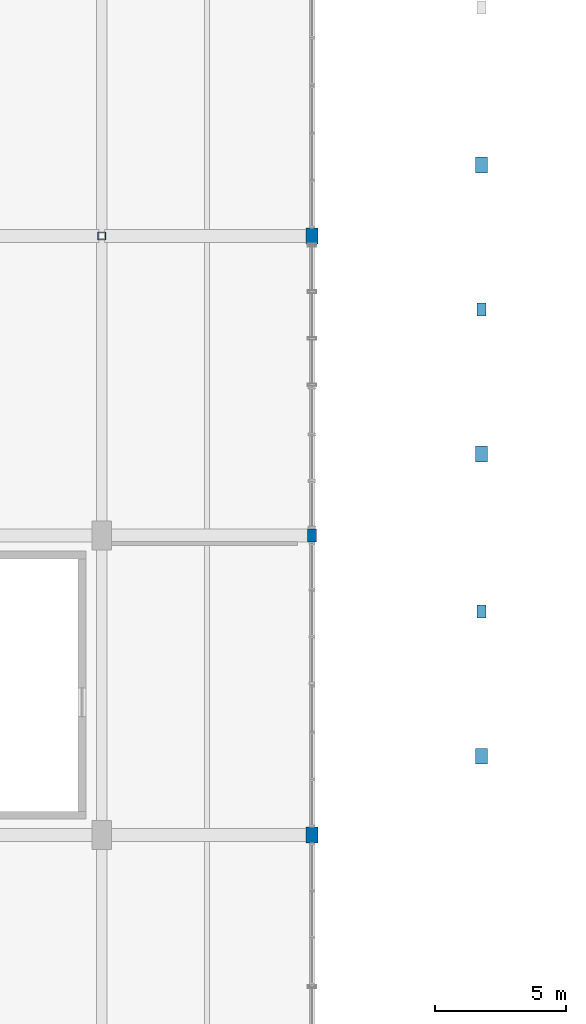
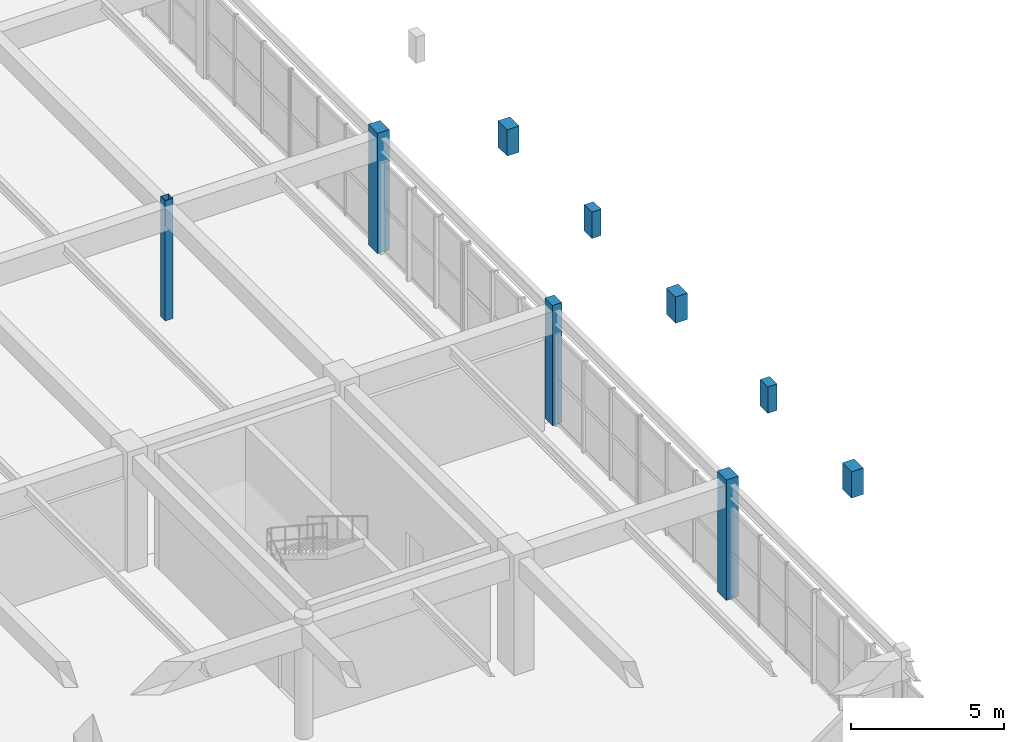
# One storey, part 4 of 106: 9 columns.
"""IFC4 building model written with IfcOpenShell, lengths in metres."""

from ifc_helpers import new_model, si_unit, direction, frame, origin, origin_2d, place, context, subcontext, project, spatial, rectangle, hollow_rectangle, extrude, material, material_profile, profile_set, type_object, element, save


model = new_model("IFC4")

# Units and contexts
model_context = context("Model", 3, precision=1e-05, world=origin(), true_north=direction((0.0, 1.0)))
body_context = subcontext(model_context, "Body", "Model", "MODEL_VIEW")
ifc_project = project(units=[si_unit("LENGTHUNIT", "METRE"), si_unit("AREAUNIT", "SQUARE_METRE"), si_unit("VOLUMEUNIT", "CUBIC_METRE"), si_unit("PLANEANGLEUNIT", "RADIAN"), si_unit("MASSUNIT", "GRAM", prefix="KILO"), si_unit("POWERUNIT", "WATT"), si_unit("THERMODYNAMICTEMPERATUREUNIT", "KELVIN")], contexts=[model_context])

# Site, building, storey
site_placement = place(None, origin())
site = spatial("IfcSite", under=ifc_project, at=site_placement, CompositionType="ELEMENT")
building_placement = place(site_placement, origin())
building = spatial("IfcBuilding", under=site, at=building_placement, Name="Kelmbourne Parkland Aquatics Centre", CompositionType="ELEMENT")
storey_placement = place(building_placement, frame((0.0, 0.0, 5.39990234375)))
storey = spatial("IfcBuildingStorey", under=building, at=storey_placement, Name="L01", CompositionType="ELEMENT", Elevation=5.39990234375)

# Columns
ifc_material_1 = material(Name="Cold-formed hollow steel AS/NZS 1163 C350L0", Category="steel")
ifc_material_profile_1 = material_profile(ifc_material_1, hollow_rectangle(XDim=0.300048828125, YDim=0.300048828125, WallThickness=0.012451171875, at=origin_2d()), Name="SHS 300x300x12.5")
ifc_profile_set_1 = profile_set([ifc_material_profile_1], Name="Cold-formed hollow steel AS/NZS 1163 C350L0")
column_type_1 = type_object("IfcColumnType", Name="COL-C22", PredefinedType="COLUMN", material=ifc_profile_set_1)
column_1_placement = place(storey_placement, frame((32.0, 57.800048828125, 0.0), z_axis=(0.0, 0.0, 1.0), x_axis=(1.0, 0.0, 0.0)))
element("IfcColumn", 1, at=column_1_placement, inside=storey, type_object=column_type_1, Name="Structural column E-08 (L01)", PredefinedType="COLUMN", context=body_context, shape_type="SweptSolid", body=[
    extrude(hollow_rectangle(XDim=0.300048828125, YDim=0.300048828125, WallThickness=0.012451171875, at=origin_2d()), origin(), (0.0, 0.0, 1.0), 4.800048828125),
])
ifc_material_2 = material(Name="Clay brick masonry AS 3700 M12", Category="masonry")
ifc_material_profile_2 = material_profile(ifc_material_2, rectangle(XDim=0.35009765625, YDim=0.5, at=origin_2d()), Name="PIL 350x500")
ifc_profile_set_2 = profile_set([ifc_material_profile_2], Name="Clay brick masonry AS 3700 M12")
column_type_2 = type_object("IfcColumnType", Name="PIL-PL1", PredefinedType="PILASTER", material=ifc_profile_set_2)
column_2_placement = place(storey_placement, frame((40.0, 46.39990234375, 0.0), z_axis=(0.0, 0.0, 1.0), x_axis=(1.0, 0.0, 0.0)))
element("IfcColumn", 2, at=column_2_placement, inside=storey, type_object=column_type_2, Name="Engaged brick pilaster F-06 (L01)", PredefinedType="PILASTER", context=body_context, shape_type="SweptSolid", body=[
    extrude(rectangle(XDim=0.35009765625, YDim=0.5, at=origin_2d()), origin(), (0.0, 0.0, 1.0), 4.800048828125),
])
for number, where, z_axis, x_axis, name in (
    (3, (46.449951171875, 43.5, 0.0), (0.0, 0.0, 1.0), (1.0, 0.0, 0.0), "Amsterdam School engaged brick buttress CW-035 (L01)"),
    (4, (46.449951171875, 55.0, 0.0), (0.0, 0.0, 1.0), (1.0, 0.0, 0.0), "Amsterdam School engaged brick buttress CW-037 (L01)"),
):
    element("IfcColumn", number, at=place(storey_placement, frame(where, z_axis=z_axis, x_axis=x_axis)), inside=storey, type_object=column_type_2, Name=name, PredefinedType="PILASTER", context=body_context, shape_type="SweptSolid", body=[
        extrude(rectangle(XDim=0.35009765625, YDim=0.5, at=origin_2d()), origin(), (0.0, 0.0, 1.0), 1.050048828125),
    ])
ifc_material_profile_3 = material_profile(ifc_material_2, rectangle(XDim=0.449951171875, YDim=0.60009765625, at=origin_2d()), Name="PIL 450x600")
ifc_profile_set_3 = profile_set([ifc_material_profile_3], Name="Clay brick masonry AS 3700 M12")
column_type_3 = type_object("IfcColumnType", Name="PIL-PL2", PredefinedType="PILASTER", material=ifc_profile_set_3)
for number, where, z_axis, x_axis, name in (
    (5, (40.0, 35.0, 0.0), (0.0, 0.0, 1.0), (1.0, 0.0, 0.0), "Engaged brick pilaster F-05 (L01)"),
    (6, (40.0, 57.800048828125, 0.0), (0.0, 0.0, 1.0), (1.0, 0.0, 0.0), "Engaged brick pilaster F-08 (L01)"),
):
    element("IfcColumn", number, at=place(storey_placement, frame(where, z_axis=z_axis, x_axis=x_axis)), inside=storey, type_object=column_type_3, Name=name, PredefinedType="PILASTER", context=body_context, shape_type="SweptSolid", body=[
        extrude(rectangle(XDim=0.449951171875, YDim=0.60009765625, at=origin_2d()), origin(), (0.0, 0.0, 1.0), 4.800048828125),
    ])
for number, where, z_axis, x_axis, name in (
    (7, (46.449951171875, 38.0, 0.0), (0.0, 0.0, 1.0), (1.0, 0.0, 0.0), "Amsterdam School engaged brick buttress CW-034 (L01)"),
    (8, (46.449951171875, 49.5, 0.0), (0.0, 0.0, 1.0), (1.0, 0.0, 0.0), "Amsterdam School engaged brick buttress CW-036 (L01)"),
    (9, (46.449951171875, 60.5, 0.0), (0.0, 0.0, 1.0), (1.0, 0.0, 0.0), "Amsterdam School engaged brick buttress CW-038 (L01)"),
):
    element("IfcColumn", number, at=place(storey_placement, frame(where, z_axis=z_axis, x_axis=x_axis)), inside=storey, type_object=column_type_3, Name=name, PredefinedType="PILASTER", context=body_context, shape_type="SweptSolid", body=[
        extrude(rectangle(XDim=0.449951171875, YDim=0.60009765625, at=origin_2d()), origin(), (0.0, 0.0, 1.0), 1.050048828125),
    ])

save(model, "model.ifc")
